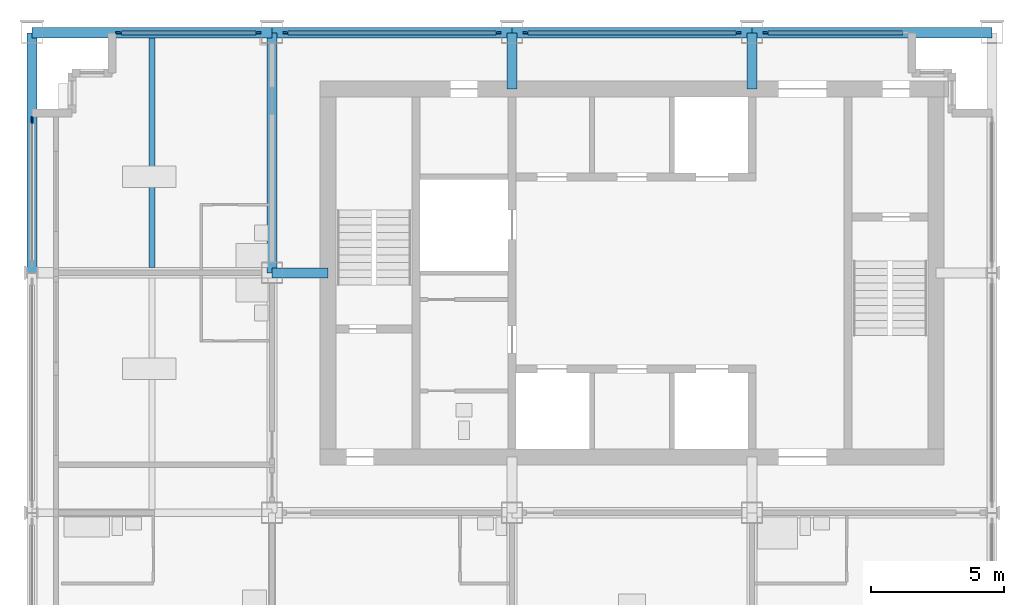
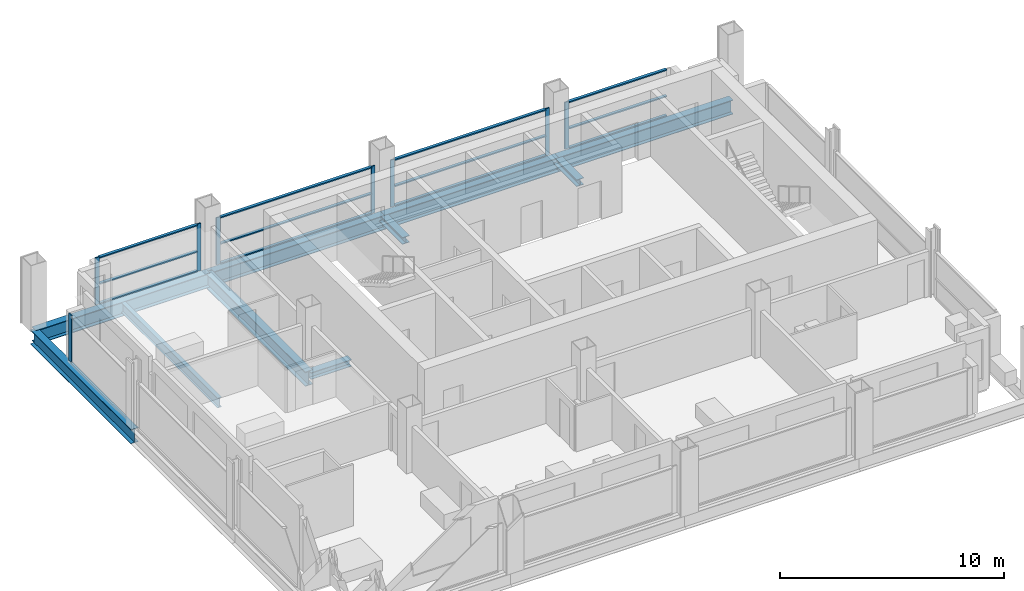
# One storey, part 3 of 11: 23 members, 7 beams, 5 elements without a shape of their own.
"""IFC4 building model written with IfcOpenShell, lengths in metres."""

from ifc_helpers import new_model, si_unit, direction, frame, origin, origin_2d, place, context, subcontext, project, spatial, rectangle, i_section, extrude, material, material_profile, profile_set, type_object, element, aggregate, save


model = new_model("IFC4")

# Units and contexts
model_context = context("Model", 3, precision=1e-05, world=origin(), true_north=direction((0.0, 1.0)))
body_context = subcontext(model_context, "Body", "Model", "MODEL_VIEW")
ifc_project = project(units=[si_unit("LENGTHUNIT", "METRE"), si_unit("AREAUNIT", "SQUARE_METRE"), si_unit("VOLUMEUNIT", "CUBIC_METRE"), si_unit("PLANEANGLEUNIT", "RADIAN"), si_unit("MASSUNIT", "GRAM", prefix="KILO")], contexts=[model_context])

# Site, building, storey
site_placement = place(None, origin())
site = spatial("IfcSite", under=ifc_project, at=site_placement, CompositionType="ELEMENT")
building_placement = place(site_placement, origin())
building = spatial("IfcBuilding", under=site, at=building_placement, Name="Loomwork Tower", CompositionType="ELEMENT")
storey_placement = place(building_placement, frame((0.0, 0.0, 266.199951171875)))
storey = spatial("IfcBuildingStorey", under=building, at=storey_placement, Name="L73", CompositionType="ELEMENT", Elevation=266.199951171875)

# Beam
ifc_material_1 = material(Name="Steel ASTM A992", Category="steel")
ifc_material_profile_1 = material_profile(ifc_material_1, i_section(OverallWidth=0.383544921875, OverallDepth=0.794921875, WebThickness=0.02099609375, FlangeThickness=0.0380859375, at=origin_2d()), Name="W30x235")
ifc_profile_set_1 = profile_set([ifc_material_profile_1], Name="Steel ASTM A992")
beam_type_1 = type_object("IfcBeamType", Name="CORE FLANK GIRDER W30x235", PredefinedType="BEAM", material=ifc_profile_set_1)
beam_1_placement = place(storey_placement, frame((9.0, 18.0, -0.597412109375), z_axis=(0.0, 1.0, 0.0), x_axis=(-1.0, 0.0, 0.0)))
element("IfcBeam", 1, at=beam_1_placement, inside=storey, type_object=beam_type_1, Name="Core Flank Girder F/3-G/3 L73", PredefinedType="BEAM", context=body_context, shape_type="SweptSolid", body=[
    extrude(i_section(OverallWidth=0.383544921875, OverallDepth=0.794921875, WebThickness=0.02099609375, FlangeThickness=0.0380859375, at=origin_2d()), origin(), (0.0, 0.0, 1.0), 9.0),
])

# Members
ifc_material_2 = material(Name="Steel ASTM A992", Category="steel")
ifc_material_profile_2 = material_profile(ifc_material_2, i_section(OverallWidth=0.373291015625, OverallDepth=0.373291015625, WebThickness=0.016357421875, FlangeThickness=0.026123046875, at=origin_2d()), Name="W14x132")
ifc_profile_set_2 = profile_set([ifc_material_profile_2], Name="Steel ASTM A992")
member_type_1 = type_object("IfcMemberType", Name="CORE LINK STRUT W14x132", PredefinedType="STRUT", material=ifc_profile_set_2)
for number, where, z_axis, x_axis, name in (
    (2, (18.0, 27.0, -0.38671875), (0.0, -1.0, 0.0), (1.0, 0.0, 0.0), "Core link strut G/4-18.000,24.900 L73"),
    (3, (27.0, 27.0, -0.38671875), (0.0, -1.0, 0.0), (1.0, 0.0, 0.0), "Core link strut G/5-27.000,24.900 L73"),
    (4, (9.0, 18.0, -0.38671875), (1.0, 0.0, 0.0), (0.0, 1.0, 0.0), "Core link strut F/3-11.100,18.000 L73"),
):
    element("IfcMember", number, at=place(storey_placement, frame(where, z_axis=z_axis, x_axis=x_axis)), inside=storey, type_object=member_type_1, Name=name, PredefinedType="STRUT", context=body_context, shape_type="SweptSolid", body=[
        extrude(i_section(OverallWidth=0.373291015625, OverallDepth=0.373291015625, WebThickness=0.016357421875, FlangeThickness=0.026123046875, at=origin_2d()), origin(), (0.0, 0.0, 1.0), 2.10009765625),
    ])

# Beam
ifc_material_3 = material(Name="Steel ASTM A992", Category="steel")
ifc_material_profile_3 = material_profile(ifc_material_3, i_section(OverallWidth=0.2109375, OverallDepth=0.53857421875, WebThickness=0.011474609375, FlangeThickness=0.018798828125, at=origin_2d()), Name="W21x73")
ifc_profile_set_3 = profile_set([ifc_material_profile_3], Name="Steel ASTM A992")
beam_type_2 = type_object("IfcBeamType", Name="FLOOR JOIST W21x73", PredefinedType="JOIST", material=ifc_profile_set_3)
beam_2_placement = place(storey_placement, frame((4.5, 18.19091796875, -0.46923828125), z_axis=(0.0, 1.0, 0.0), x_axis=(-1.0, 0.0, 0.0)))
element("IfcBeam", 5, at=beam_2_placement, inside=storey, type_object=beam_type_2, Name="Floor Joist 4.500,18.000-4.500,27.000 L73", PredefinedType="JOIST", context=body_context, shape_type="SweptSolid", body=[
    extrude(i_section(OverallWidth=0.2109375, OverallDepth=0.53857421875, WebThickness=0.011474609375, FlangeThickness=0.018798828125, at=origin_2d()), origin(), (0.0, 0.0, 1.0), 8.619140625),
])

# Curtain wall, member
ifc_material_4 = material(Name="Aluminium curtain wall frame", Category="aluminium")
curtain_wall_type_1 = type_object("IfcCurtainWallType", Name="Outer skin glazing suites", PredefinedType="NOTDEFINED", material=ifc_material_4)
curtain_wall_1_placement = place(storey_placement, origin())
curtain_wall_1 = element("IfcCurtainWall", 6, at=curtain_wall_1_placement, inside=storey, type_object=curtain_wall_type_1, Name="Outer skin glazing suites cw/W-18", PredefinedType="NOTDEFINED")
ifc_material_5 = material(Name="Aluminium curtain wall frame", Category="aluminium")
ifc_material_profile_4 = material_profile(ifc_material_5, rectangle(XDim=0.06494140625, YDim=0.25, at=origin_2d()), Name="AL 65x250")
ifc_profile_set_4 = profile_set([ifc_material_profile_4], Name="Aluminium curtain wall frame")
member_type_2 = type_object("IfcMemberType", Name="Outer skin glazing suites mullion", PredefinedType="MULLION", material=ifc_profile_set_4)
member_1_placement = place(storey_placement, frame((0.0, 23.72509765625, 0.0), z_axis=(0.0, 0.0, 1.0), x_axis=(1.0, 0.0, 0.0)))
member_1 = element("IfcMember", 7, at=member_1_placement, type_object=member_type_2, Name="CW2 mullion 1", PredefinedType="MULLION", context=body_context, shape_type="SweptSolid", body=[
    extrude(rectangle(XDim=0.06494140625, YDim=0.25, at=origin_2d()), origin(), (0.0, 0.0, 1.0), 2.5703125),
])
aggregate(curtain_wall_1, [member_1])

# Beams
ifc_material_6 = material(Name="Steel ASTM A992", Category="steel")
ifc_material_profile_5 = material_profile(ifc_material_6, i_section(OverallWidth=0.381103515625, OverallDepth=0.77978515625, WebThickness=0.01806640625, FlangeThickness=0.0302734375, at=origin_2d()), Name="W30x191")
ifc_profile_set_5 = profile_set([ifc_material_profile_5], Name="Steel ASTM A992")
beam_type_3 = type_object("IfcBeamType", Name="SPANDREL GIRDER W30x191", PredefinedType="SPANDREL", material=ifc_profile_set_5)
for number, where, z_axis, x_axis, name in (
    (8, (0.0, 27.0, -0.58984375), (1.0, 0.0, 0.0), (0.0, 1.0, 0.0), "Spandrel Girder G/2-G/3 L73"),
    (9, (9.0, 27.0, -0.58984375), (1.0, 0.0, 0.0), (0.0, 1.0, 0.0), "Spandrel Girder G/3-G/4 L73"),
    (10, (18.0, 27.0, -0.58984375), (1.0, 0.0, 0.0), (0.0, 1.0, 0.0), "Spandrel Girder G/4-G/5 L73"),
    (11, (27.0, 27.0, -0.58984375), (1.0, 0.0, 0.0), (0.0, 1.0, 0.0), "Spandrel Girder G/5-G/6 L73"),
    (12, (0.0, 18.0, -0.58984375), (0.0, 1.0, 0.0), (-1.0, 0.0, 0.0), "Spandrel Girder F/2-G/2 L73"),
):
    element("IfcBeam", number, at=place(storey_placement, frame(where, z_axis=z_axis, x_axis=x_axis)), inside=storey, type_object=beam_type_3, Name=name, PredefinedType="SPANDREL", context=body_context, shape_type="SweptSolid", body=[
        extrude(i_section(OverallWidth=0.381103515625, OverallDepth=0.77978515625, WebThickness=0.01806640625, FlangeThickness=0.0302734375, at=origin_2d()), origin(), (0.0, 0.0, 1.0), 9.0),
    ])

# Curtain wall, members
ifc_material_7 = material(Name="Aluminium curtain wall frame", Category="aluminium")
curtain_wall_type_2 = type_object("IfcCurtainWallType", Name="Single skin glazing corridor", PredefinedType="NOTDEFINED", material=ifc_material_7)
curtain_wall_2_placement = place(storey_placement, origin())
curtain_wall_2 = element("IfcCurtainWall", 13, at=curtain_wall_2_placement, inside=storey, type_object=curtain_wall_type_2, Name="Single skin glazing corridor cw/N-0", PredefinedType="NOTDEFINED")
ifc_material_8 = material(Name="Aluminium curtain wall frame", Category="aluminium")
ifc_material_profile_6 = material_profile(ifc_material_8, rectangle(XDim=0.06494140625, YDim=0.199951171875, at=origin_2d()), Name="AL 65x200")
ifc_profile_set_6 = profile_set([ifc_material_profile_6], Name="Aluminium curtain wall frame")
member_type_3 = type_object("IfcMemberType", Name="Single skin glazing corridor mullion", PredefinedType="MULLION", material=ifc_profile_set_6)
member_2_placement = place(storey_placement, frame((8.5, 27.0, 0.0), z_axis=(0.0, 0.0, 1.0), x_axis=(0.0, -1.0, 0.0)))
member_2 = element("IfcMember", 14, at=member_2_placement, type_object=member_type_3, Name="CW3 mullion 1", PredefinedType="MULLION", context=body_context, shape_type="SweptSolid", body=[
    extrude(rectangle(XDim=0.06494140625, YDim=0.199951171875, at=origin_2d()), origin(), (0.0, 0.0, 1.0), 2.5703125),
])
member_3_placement = place(storey_placement, frame((3.25, 27.0, 0.0), z_axis=(0.0, 0.0, 1.0), x_axis=(0.0, -1.0, 0.0)))
member_3 = element("IfcMember", 15, at=member_3_placement, type_object=member_type_3, Name="CW3 mullion 2", PredefinedType="MULLION", context=body_context, shape_type="SweptSolid", body=[
    extrude(rectangle(XDim=0.06494140625, YDim=0.199951171875, at=origin_2d()), origin(), (0.0, 0.0, 1.0), 2.5703125),
])

curtain_wall_3_placement = place(storey_placement, origin())
curtain_wall_3 = element("IfcCurtainWall", 16, at=curtain_wall_3_placement, inside=storey, type_object=curtain_wall_type_2, Name="Single skin glazing corridor cw/N-9", PredefinedType="NOTDEFINED")
member_4_placement = place(storey_placement, frame((17.5, 27.0, 0.0), z_axis=(0.0, 0.0, 1.0), x_axis=(0.0, -1.0, 0.0)))
member_4 = element("IfcMember", 17, at=member_4_placement, type_object=member_type_3, Name="CW3 mullion 1", PredefinedType="MULLION", context=body_context, shape_type="SweptSolid", body=[
    extrude(rectangle(XDim=0.06494140625, YDim=0.199951171875, at=origin_2d()), origin(), (0.0, 0.0, 1.0), 2.5703125),
])
member_5_placement = place(storey_placement, frame((9.5, 27.0, 0.0), z_axis=(0.0, 0.0, 1.0), x_axis=(0.0, -1.0, 0.0)))
member_5 = element("IfcMember", 18, at=member_5_placement, type_object=member_type_3, Name="CW3 mullion 2", PredefinedType="MULLION", context=body_context, shape_type="SweptSolid", body=[
    extrude(rectangle(XDim=0.06494140625, YDim=0.199951171875, at=origin_2d()), origin(), (0.0, 0.0, 1.0), 2.5703125),
])

curtain_wall_4_placement = place(storey_placement, origin())
curtain_wall_4 = element("IfcCurtainWall", 19, at=curtain_wall_4_placement, inside=storey, type_object=curtain_wall_type_2, Name="Single skin glazing corridor cw/N-18", PredefinedType="NOTDEFINED")
member_6_placement = place(storey_placement, frame((26.5, 27.0, 0.0), z_axis=(0.0, 0.0, 1.0), x_axis=(0.0, -1.0, 0.0)))
member_6 = element("IfcMember", 20, at=member_6_placement, type_object=member_type_3, Name="CW3 mullion 1", PredefinedType="MULLION", context=body_context, shape_type="SweptSolid", body=[
    extrude(rectangle(XDim=0.06494140625, YDim=0.199951171875, at=origin_2d()), origin(), (0.0, 0.0, 1.0), 2.5703125),
])
member_7_placement = place(storey_placement, frame((18.5, 27.0, 0.0), z_axis=(0.0, 0.0, 1.0), x_axis=(0.0, -1.0, 0.0)))
member_7 = element("IfcMember", 21, at=member_7_placement, type_object=member_type_3, Name="CW3 mullion 2", PredefinedType="MULLION", context=body_context, shape_type="SweptSolid", body=[
    extrude(rectangle(XDim=0.06494140625, YDim=0.199951171875, at=origin_2d()), origin(), (0.0, 0.0, 1.0), 2.5703125),
])

# Curtain wall, member
curtain_wall_5_placement = place(storey_placement, origin())
curtain_wall_5 = element("IfcCurtainWall", 22, at=curtain_wall_5_placement, inside=storey, type_object=curtain_wall_type_2, Name="Single skin glazing corridor cw/N-27", PredefinedType="NOTDEFINED")
member_8_placement = place(storey_placement, frame((27.5, 27.0, 0.0), z_axis=(0.0, 0.0, 1.0), x_axis=(0.0, -1.0, 0.0)))
member_8 = element("IfcMember", 23, at=member_8_placement, type_object=member_type_3, Name="CW3 mullion 2", PredefinedType="MULLION", context=body_context, shape_type="SweptSolid", body=[
    extrude(rectangle(XDim=0.06494140625, YDim=0.199951171875, at=origin_2d()), origin(), (0.0, 0.0, 1.0), 2.5703125),
])

# Member
ifc_material_9 = material(Name="Aluminium curtain wall frame", Category="aluminium")
ifc_material_profile_7 = material_profile(ifc_material_9, rectangle(XDim=0.14990234375, YDim=0.06494140625, at=origin_2d()), Name="AL 65x150")
ifc_profile_set_7 = profile_set([ifc_material_profile_7], Name="Aluminium curtain wall frame")
member_type_4 = type_object("IfcMemberType", Name="Single skin glazing corridor transom", PredefinedType="USERDEFINED", material=ifc_profile_set_7)
member_9_placement = place(storey_placement, frame((8.39990234375, 27.0, 0.032470703125), z_axis=(-1.0, 0.0, 0.0), x_axis=(0.0, -1.0, 0.0)))
member_9 = element("IfcMember", 24, at=member_9_placement, type_object=member_type_4, Name="CW3 transom 1.1", ObjectType="TRANSOM", PredefinedType="USERDEFINED", context=body_context, shape_type="SweptSolid", body=[
    extrude(rectangle(XDim=0.14990234375, YDim=0.06494140625, at=origin_2d()), origin(), (0.0, 0.0, 1.0), 5.0498046875),
])

member_10_placement = place(storey_placement, frame((8.39990234375, 27.0, 1.10009765625), z_axis=(-1.0, 0.0, 0.0), x_axis=(0.0, -1.0, 0.0)))
member_10 = element("IfcMember", 25, at=member_10_placement, type_object=member_type_4, Name="CW3 transom 1.2", ObjectType="TRANSOM", PredefinedType="USERDEFINED", context=body_context, shape_type="SweptSolid", body=[
    extrude(rectangle(XDim=0.14990234375, YDim=0.06494140625, at=origin_2d()), origin(), (0.0, 0.0, 1.0), 5.0498046875),
])

member_11_placement = place(storey_placement, frame((8.39990234375, 27.0, 2.537841796875), z_axis=(-1.0, 0.0, 0.0), x_axis=(0.0, -1.0, 0.0)))
member_11 = element("IfcMember", 26, at=member_11_placement, type_object=member_type_4, Name="CW3 transom 1.3", ObjectType="TRANSOM", PredefinedType="USERDEFINED", context=body_context, shape_type="SweptSolid", body=[
    extrude(rectangle(XDim=0.14990234375, YDim=0.06494140625, at=origin_2d()), origin(), (0.0, 0.0, 1.0), 5.0498046875),
])

aggregate(curtain_wall_2, [member_2, member_3, member_9, member_10, member_11])

member_12_placement = place(storey_placement, frame((17.39990234375, 27.0, 0.032470703125), z_axis=(-1.0, 0.0, 0.0), x_axis=(0.0, -1.0, 0.0)))
member_12 = element("IfcMember", 27, at=member_12_placement, type_object=member_type_4, Name="CW3 transom 1.1", ObjectType="TRANSOM", PredefinedType="USERDEFINED", context=body_context, shape_type="SweptSolid", body=[
    extrude(rectangle(XDim=0.14990234375, YDim=0.06494140625, at=origin_2d()), origin(), (0.0, 0.0, 1.0), 7.7998046875),
])

member_13_placement = place(storey_placement, frame((17.39990234375, 27.0, 1.10009765625), z_axis=(-1.0, 0.0, 0.0), x_axis=(0.0, -1.0, 0.0)))
member_13 = element("IfcMember", 28, at=member_13_placement, type_object=member_type_4, Name="CW3 transom 1.2", ObjectType="TRANSOM", PredefinedType="USERDEFINED", context=body_context, shape_type="SweptSolid", body=[
    extrude(rectangle(XDim=0.14990234375, YDim=0.06494140625, at=origin_2d()), origin(), (0.0, 0.0, 1.0), 7.7998046875),
])

member_14_placement = place(storey_placement, frame((17.39990234375, 27.0, 2.537841796875), z_axis=(-1.0, 0.0, 0.0), x_axis=(0.0, -1.0, 0.0)))
member_14 = element("IfcMember", 29, at=member_14_placement, type_object=member_type_4, Name="CW3 transom 1.3", ObjectType="TRANSOM", PredefinedType="USERDEFINED", context=body_context, shape_type="SweptSolid", body=[
    extrude(rectangle(XDim=0.14990234375, YDim=0.06494140625, at=origin_2d()), origin(), (0.0, 0.0, 1.0), 7.7998046875),
])

aggregate(curtain_wall_3, [member_4, member_5, member_12, member_13, member_14])

member_15_placement = place(storey_placement, frame((26.39990234375, 27.0, 0.032470703125), z_axis=(-1.0, 0.0, 0.0), x_axis=(0.0, -1.0, 0.0)))
member_15 = element("IfcMember", 30, at=member_15_placement, type_object=member_type_4, Name="CW3 transom 1.1", ObjectType="TRANSOM", PredefinedType="USERDEFINED", context=body_context, shape_type="SweptSolid", body=[
    extrude(rectangle(XDim=0.14990234375, YDim=0.06494140625, at=origin_2d()), origin(), (0.0, 0.0, 1.0), 7.7998046875),
])

member_16_placement = place(storey_placement, frame((26.39990234375, 27.0, 1.10009765625), z_axis=(-1.0, 0.0, 0.0), x_axis=(0.0, -1.0, 0.0)))
member_16 = element("IfcMember", 31, at=member_16_placement, type_object=member_type_4, Name="CW3 transom 1.2", ObjectType="TRANSOM", PredefinedType="USERDEFINED", context=body_context, shape_type="SweptSolid", body=[
    extrude(rectangle(XDim=0.14990234375, YDim=0.06494140625, at=origin_2d()), origin(), (0.0, 0.0, 1.0), 7.7998046875),
])

member_17_placement = place(storey_placement, frame((26.39990234375, 27.0, 2.537841796875), z_axis=(-1.0, 0.0, 0.0), x_axis=(0.0, -1.0, 0.0)))
member_17 = element("IfcMember", 32, at=member_17_placement, type_object=member_type_4, Name="CW3 transom 1.3", ObjectType="TRANSOM", PredefinedType="USERDEFINED", context=body_context, shape_type="SweptSolid", body=[
    extrude(rectangle(XDim=0.14990234375, YDim=0.06494140625, at=origin_2d()), origin(), (0.0, 0.0, 1.0), 7.7998046875),
])

aggregate(curtain_wall_4, [member_6, member_7, member_15, member_16, member_17])

member_18_placement = place(storey_placement, frame((32.64990234375, 27.0, 0.032470703125), z_axis=(-1.0, 0.0, 0.0), x_axis=(0.0, -1.0, 0.0)))
member_18 = element("IfcMember", 33, at=member_18_placement, type_object=member_type_4, Name="CW3 transom 1.1", ObjectType="TRANSOM", PredefinedType="USERDEFINED", context=body_context, shape_type="SweptSolid", body=[
    extrude(rectangle(XDim=0.14990234375, YDim=0.06494140625, at=origin_2d()), origin(), (0.0, 0.0, 1.0), 5.0498046875),
])

member_19_placement = place(storey_placement, frame((32.64990234375, 27.0, 1.10009765625), z_axis=(-1.0, 0.0, 0.0), x_axis=(0.0, -1.0, 0.0)))
member_19 = element("IfcMember", 34, at=member_19_placement, type_object=member_type_4, Name="CW3 transom 1.2", ObjectType="TRANSOM", PredefinedType="USERDEFINED", context=body_context, shape_type="SweptSolid", body=[
    extrude(rectangle(XDim=0.14990234375, YDim=0.06494140625, at=origin_2d()), origin(), (0.0, 0.0, 1.0), 5.0498046875),
])

member_20_placement = place(storey_placement, frame((32.64990234375, 27.0, 2.537841796875), z_axis=(-1.0, 0.0, 0.0), x_axis=(0.0, -1.0, 0.0)))
member_20 = element("IfcMember", 35, at=member_20_placement, type_object=member_type_4, Name="CW3 transom 1.3", ObjectType="TRANSOM", PredefinedType="USERDEFINED", context=body_context, shape_type="SweptSolid", body=[
    extrude(rectangle(XDim=0.14990234375, YDim=0.06494140625, at=origin_2d()), origin(), (0.0, 0.0, 1.0), 5.0498046875),
])

aggregate(curtain_wall_5, [member_8, member_18, member_19, member_20])

save(model, "model.ifc")
